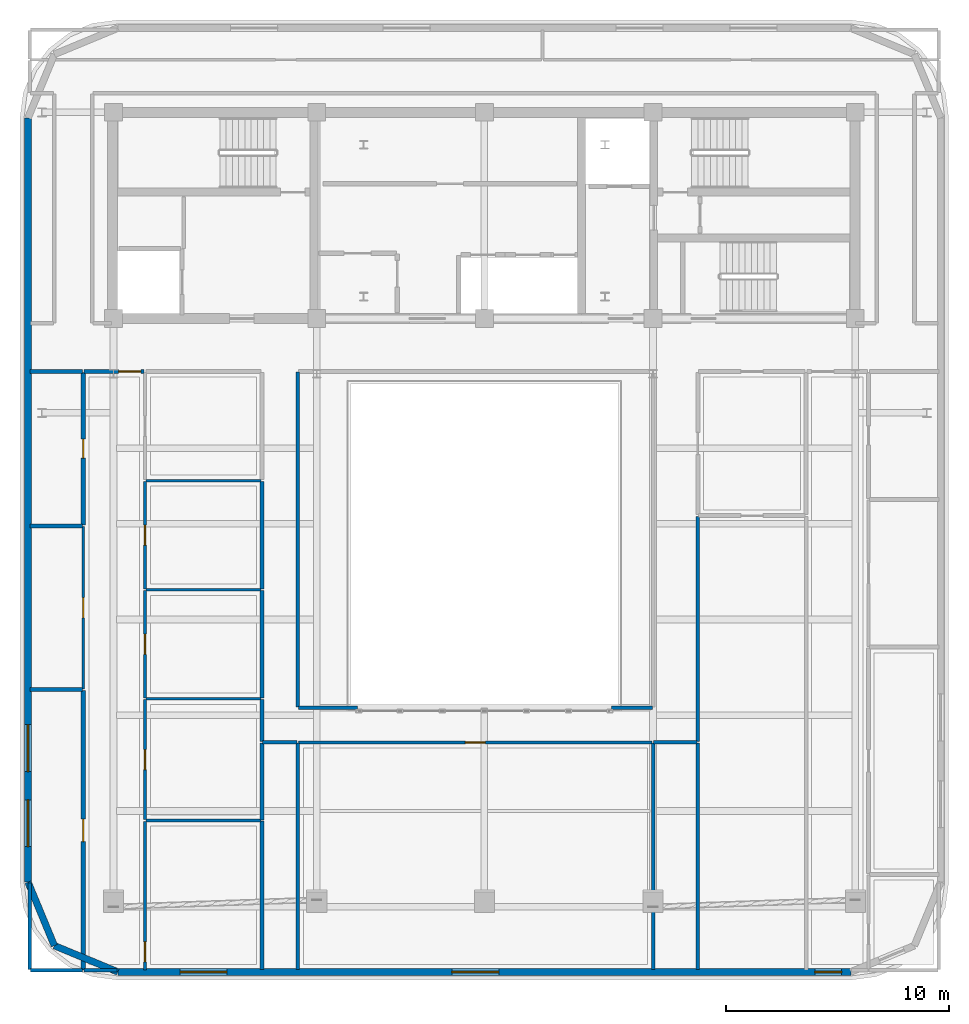
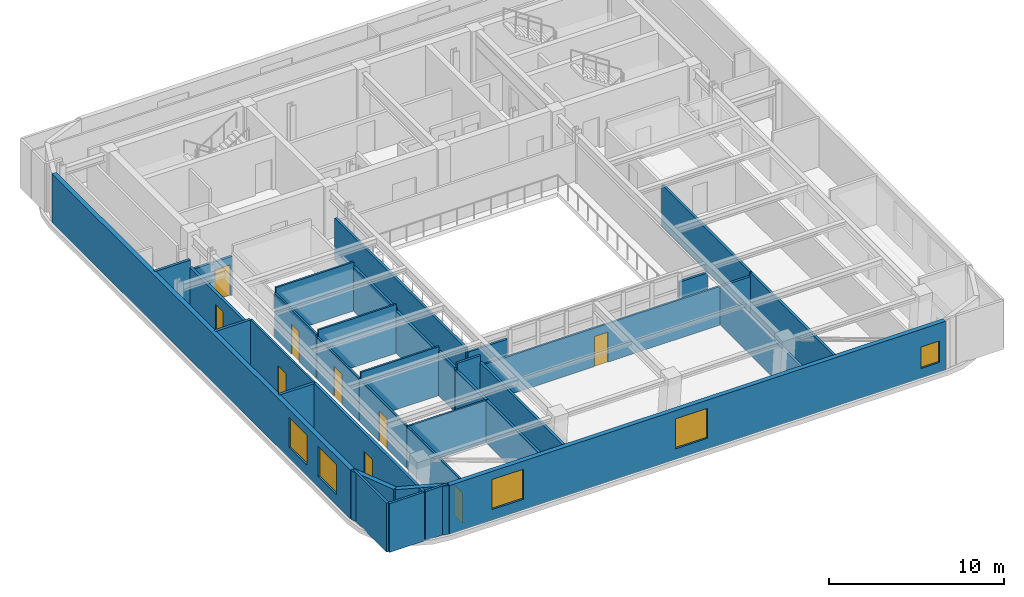
# One storey, part 6 of 12: 37 walls, 9 doors, 5 windows, 14 openings.
"""IFC4 building model written with IfcOpenShell, lengths in metres."""

from ifc_helpers import new_model, si_unit, direction, frame, frame_2d, origin, place, context, subcontext, project, spatial, rectangle, extrude, material, layer, layer_set, type_object, element, fill, save


model = new_model("IFC4")

# Units and contexts
model_context = context("Model", 3, precision=1e-05, world=origin(), true_north=direction((0.0, 1.0)))
body_context = subcontext(model_context, "Body", "Model", "MODEL_VIEW")
ifc_project = project(units=[si_unit("LENGTHUNIT", "METRE"), si_unit("AREAUNIT", "SQUARE_METRE"), si_unit("VOLUMEUNIT", "CUBIC_METRE"), si_unit("PLANEANGLEUNIT", "RADIAN"), si_unit("MASSUNIT", "GRAM", prefix="KILO")], contexts=[model_context])

# Site, building, storey
site_placement = place(None, origin())
site = spatial("IfcSite", under=ifc_project, at=site_placement, CompositionType="ELEMENT")
building_placement = place(site_placement, origin())
building = spatial("IfcBuilding", under=site, at=building_placement, Name="Zarnavel Station Tower", CompositionType="ELEMENT")
storey_placement = place(building_placement, frame((0.0, 0.0, 269.5)))
storey = spatial("IfcBuildingStorey", under=building, at=storey_placement, Name="L73", CompositionType="ELEMENT", Elevation=269.5)

# Wall, openings, windows
ifc_material_1 = material(Name="Precast concrete C45/55 (Dark Basalt Finish)", Category="masonry")
ifc_layer_1 = layer(ifc_material_1, 0.300048828125)
ifc_layer_set_1 = layer_set([ifc_layer_1], Name="EW_BASALT_300")
wall_type_1 = type_object("IfcWallType", Name="EW_BASALT_300", PredefinedType="SOLIDWALL", material=ifc_layer_set_1)
wall_1_placement = place(storey_placement, frame((8.3798828125, 2.60009765625, 0.0), z_axis=(0.0, 0.0, 1.0), x_axis=(0.0, 1.0, 0.0)))
wall_1 = element("IfcWall", 1, at=wall_1_placement, inside=storey, type_object=wall_type_1, Name="L73 Exterior Basalt Masonry Frame Wall 09", PredefinedType="SOLIDWALL", context=body_context, shape_type="SweptSolid", body=[
    extrude(rectangle(XDim=34.199951171875, YDim=0.300048828125, at=frame_2d((17.10009765625, 0.0))), origin(), (0.0, 0.0, 1.0), 3.419921875),
])
opening_1_placement = place(wall_1_placement, frame((1.583984375, 0.0, 0.75)))
opening_1 = element("IfcOpeningElement", 2, at=opening_1_placement, cuts=wall_1, Name="Opening WN05", PredefinedType="OPENING", context=body_context, shape_type="SweptSolid", body=[
    extrude(rectangle(XDim=2.10009765625, YDim=2.10009765625, at=frame_2d((1.050048828125, 1.050048828125))), frame((0.0, 0.159912109375, 0.0), z_axis=(0.0, -1.0, 0.0), x_axis=(1.0, 0.0, 0.0)), (0.0, 0.0, 1.0), 0.320068359375),
])
opening_2_placement = place(wall_1_placement, frame((4.947998046875, 0.0, 0.75)))
opening_2 = element("IfcOpeningElement", 3, at=opening_2_placement, cuts=wall_1, Name="Opening WN05", PredefinedType="OPENING", context=body_context, shape_type="SweptSolid", body=[
    extrude(rectangle(XDim=2.10009765625, YDim=2.10009765625, at=frame_2d((1.050048828125, 1.050048828125))), frame((0.0, 0.159912109375, 0.0), z_axis=(0.0, -1.0, 0.0), x_axis=(1.0, 0.0, 0.0)), (0.0, 0.0, 1.0), 0.320068359375),
])
ifc_material_2 = material(Name="Thermally Broken Black Aluminium and Low-E Dark Glass", Category="aluminium")
window_type_1 = type_object("IfcWindowType", Name="WN_2100x2100", PartitioningType="TRIPLE_PANEL_VERTICAL", PredefinedType="WINDOW", material=ifc_material_2)
window_1_placement = place(opening_1_placement, origin())
window_1 = element("IfcWindow", 4, at=window_1_placement, inside=storey, type_object=window_type_1, Name="L73 Recessed Facade Window 01", OverallHeight=2.10009765625, OverallWidth=2.10009765625, PartitioningType="SINGLE_PANEL", PredefinedType="WINDOW", context=body_context, shape_type="SweptSolid", body=[
    extrude(rectangle(XDim=2.10009765625, YDim=2.10009765625, at=frame_2d((1.050048828125, 1.050048828125))), frame((0.0, 0.030029296875, 0.0), z_axis=(0.0, -1.0, 0.0), x_axis=(1.0, 0.0, 0.0)), (0.0, 0.0, 1.0), 0.06005859375),
])
fill(opening_1, window_1)
window_2_placement = place(opening_2_placement, origin())
window_2 = element("IfcWindow", 5, at=window_2_placement, inside=storey, type_object=window_type_1, Name="L73 Recessed Facade Window 02", OverallHeight=2.10009765625, OverallWidth=2.10009765625, PartitioningType="SINGLE_PANEL", PredefinedType="WINDOW", context=body_context, shape_type="SweptSolid", body=[
    extrude(rectangle(XDim=2.10009765625, YDim=2.10009765625, at=frame_2d((1.050048828125, 1.050048828125))), frame((0.0, 0.030029296875, 0.0), z_axis=(0.0, -1.0, 0.0), x_axis=(1.0, 0.0, 0.0)), (0.0, 0.0, 1.0), 0.06005859375),
])
fill(opening_2, window_2)

# Walls
wall_2_placement = place(storey_placement, frame((9.557373046875, -0.24267578125, 0.0), z_axis=(0.0, 0.0, 1.0), x_axis=(-0.382676475685, 0.923882414032, 0.0)))
element("IfcWall", 6, at=wall_2_placement, inside=storey, type_object=wall_type_1, Name="L73 Exterior Basalt Masonry Frame Wall 10", PredefinedType="SOLIDWALL", context=body_context, shape_type="SweptSolid", body=[
    extrude(rectangle(XDim=3.076904296875, YDim=0.300048828125, at=frame_2d((1.53857421875, 0.0))), origin(), (0.0, 0.0, 1.0), 3.419921875),
])
wall_3_placement = place(storey_placement, frame((12.39990234375, -1.419921875, 0.0), z_axis=(0.0, 0.0, 1.0), x_axis=(-0.92389884758, 0.382636798336, 0.0)))
element("IfcWall", 7, at=wall_3_placement, inside=storey, type_object=wall_type_1, Name="L73 Exterior Basalt Masonry Frame Wall 11", PredefinedType="SOLIDWALL", context=body_context, shape_type="SweptSolid", body=[
    extrude(rectangle(XDim=3.07666015625, YDim=0.300048828125, at=frame_2d((1.538330078125, 0.0))), origin(), (0.0, 0.0, 1.0), 3.419921875),
])

# Wall, openings, windows
wall_4_placement = place(storey_placement, frame((45.199951171875, -1.419921875, 0.0), z_axis=(0.0, 0.0, 1.0), x_axis=(-1.0, 0.0, 0.0)))
wall_4 = element("IfcWall", 8, at=wall_4_placement, inside=storey, type_object=wall_type_1, Name="L73 Exterior Basalt Masonry Frame Wall 12", PredefinedType="SOLIDWALL", context=body_context, shape_type="SweptSolid", body=[
    extrude(rectangle(XDim=32.800048828125, YDim=0.300048828125, at=frame_2d((16.39990234375, 0.0))), origin(), (0.0, 0.0, 1.0), 3.419921875),
])
opening_3_placement = place(wall_4_placement, frame((27.9189453125, 0.0, 0.75)))
opening_3 = element("IfcOpeningElement", 9, at=opening_3_placement, cuts=wall_4, Name="Opening WN05", PredefinedType="OPENING", context=body_context, shape_type="SweptSolid", body=[
    extrude(rectangle(XDim=2.10009765625, YDim=2.10009765625, at=frame_2d((1.050048828125, 1.050048828125))), frame((0.0, 0.159912109375, 0.0), z_axis=(0.0, -1.0, 0.0), x_axis=(1.0, 0.0, 0.0)), (0.0, 0.0, 1.0), 0.320068359375),
])
opening_4_placement = place(wall_4_placement, frame((15.75, 0.0, 0.75)))
opening_4 = element("IfcOpeningElement", 10, at=opening_4_placement, cuts=wall_4, Name="Opening WN05", PredefinedType="OPENING", context=body_context, shape_type="SweptSolid", body=[
    extrude(rectangle(XDim=2.10009765625, YDim=2.10009765625, at=frame_2d((1.050048828125, 1.050048828125))), frame((0.0, 0.159912109375, 0.0), z_axis=(0.0, -1.0, 0.0), x_axis=(1.0, 0.0, 0.0)), (0.0, 0.0, 1.0), 0.320068359375),
])
opening_5_placement = place(wall_4_placement, frame((0.409912109375, 0.0, 0.679931640625)))
opening_5 = element("IfcOpeningElement", 11, at=opening_5_placement, cuts=wall_4, Name="Opening WN08", PredefinedType="OPENING", context=body_context, shape_type="SweptSolid", body=[
    extrude(rectangle(XDim=1.199951171875, YDim=1.5, at=frame_2d((0.60009765625, 0.75))), frame((0.0, 0.159912109375, 0.0), z_axis=(0.0, -1.0, 0.0), x_axis=(1.0, 0.0, 0.0)), (0.0, 0.0, 1.0), 0.320068359375),
])
ifc_material_3 = material(Name="Thermally Broken Black Aluminium and Low-E Dark Glass", Category="aluminium")
window_type_2 = type_object("IfcWindowType", Name="WN_1200x1500", PartitioningType="SINGLE_PANEL", PredefinedType="WINDOW", material=ifc_material_3)
window_3_placement = place(opening_5_placement, origin())
window_3 = element("IfcWindow", 12, at=window_3_placement, inside=storey, type_object=window_type_2, Name="L73 Recessed Facade Window 03", OverallHeight=1.5, OverallWidth=1.199951171875, PartitioningType="SINGLE_PANEL", PredefinedType="WINDOW", context=body_context, shape_type="SweptSolid", body=[
    extrude(rectangle(XDim=1.199951171875, YDim=1.5, at=frame_2d((0.60009765625, 0.75))), frame((0.0, 0.030029296875, 0.0), z_axis=(0.0, -1.0, 0.0), x_axis=(1.0, 0.0, 0.0)), (0.0, 0.0, 1.0), 0.06005859375),
])
fill(opening_5, window_3)
window_4_placement = place(opening_3_placement, origin())
window_4 = element("IfcWindow", 13, at=window_4_placement, inside=storey, type_object=window_type_1, Name="L73 Recessed Facade Window 01", OverallHeight=2.10009765625, OverallWidth=2.10009765625, PartitioningType="SINGLE_PANEL", PredefinedType="WINDOW", context=body_context, shape_type="SweptSolid", body=[
    extrude(rectangle(XDim=2.10009765625, YDim=2.10009765625, at=frame_2d((1.050048828125, 1.050048828125))), frame((0.0, 0.030029296875, 0.0), z_axis=(0.0, -1.0, 0.0), x_axis=(1.0, 0.0, 0.0)), (0.0, 0.0, 1.0), 0.06005859375),
])
fill(opening_3, window_4)
window_5_placement = place(opening_4_placement, origin())
window_5 = element("IfcWindow", 14, at=window_5_placement, inside=storey, type_object=window_type_1, Name="L73 Recessed Facade Window 02", OverallHeight=2.10009765625, OverallWidth=2.10009765625, PartitioningType="SINGLE_PANEL", PredefinedType="WINDOW", context=body_context, shape_type="SweptSolid", body=[
    extrude(rectangle(XDim=2.10009765625, YDim=2.10009765625, at=frame_2d((1.050048828125, 1.050048828125))), frame((0.0, 0.030029296875, 0.0), z_axis=(0.0, -1.0, 0.0), x_axis=(1.0, 0.0, 0.0)), (0.0, 0.0, 1.0), 0.06005859375),
])
fill(opening_4, window_5)

# Wall, opening, door
ifc_material_4 = material(Name="Gypsum Twin-Stud Acoustic Fire Partition", Category="concrete")
ifc_layer_2 = layer(ifc_material_4, 0.159912109375)
ifc_layer_set_2 = layer_set([ifc_layer_2], Name="PT_DEMISE_160")
wall_type_2 = type_object("IfcWallType", Name="PT_DEMISE_160", PredefinedType="PARTITIONING", material=ifc_layer_set_2)
wall_5_placement = place(storey_placement, frame((10.889892578125, 25.449951171875, 0.0), z_axis=(0.0, 0.0, 1.0), x_axis=(1.0, 0.0, 0.0)))
wall_5 = element("IfcWall", 15, at=wall_5_placement, inside=storey, type_object=wall_type_2, Name="L73 Partition COR-S-UW1LV", PredefinedType="PARTITIONING", context=body_context, shape_type="SweptSolid", body=[
    extrude(rectangle(XDim=2.68212890625, YDim=0.159912109375, at=frame_2d((1.341064453125, 0.0))), origin(), (0.0, 0.0, 1.0), 2.699951171875),
])
opening_6_placement = place(wall_5_placement, frame((1.5419921875, 0.0, 0.0)))
opening_6 = element("IfcOpeningElement", 16, at=opening_6_placement, cuts=wall_5, Name="Opening FD02", PredefinedType="OPENING", context=body_context, shape_type="SweptSolid", body=[
    extrude(rectangle(XDim=1.0, YDim=2.14990234375, at=frame_2d((0.5, 1.074951171875))), frame((0.0, 0.08984375, 0.0), z_axis=(0.0, -1.0, 0.0), x_axis=(1.0, 0.0, 0.0)), (0.0, 0.0, 1.0), 0.179931640625),
])
ifc_material_5 = material(Name="Painted Galvanised Steel and Hardwood Leaf", Category="steel")
door_type_1 = type_object("IfcDoorType", Name="ID_ENTRY_1000", OperationType="NOTDEFINED", PredefinedType="DOOR", material=ifc_material_5)
door_1_placement = place(opening_6_placement, origin())
door_1 = element("IfcDoor", 17, at=door_1_placement, inside=storey, type_object=door_type_1, Name="L73 Door COR-S-UW1LV", OperationType="SINGLE_SWING_LEFT", OverallHeight=2.14990234375, OverallWidth=1.0, PredefinedType="DOOR", context=body_context, shape_type="SweptSolid", body=[
    extrude(rectangle(XDim=1.0, YDim=2.14990234375, at=frame_2d((0.5, 1.074951171875))), frame((0.0, 0.02490234375, 0.0), z_axis=(0.0, -1.0, 0.0), x_axis=(1.0, 0.0, 0.0)), (0.0, 0.0, 1.0), 0.050048828125),
])
fill(opening_6, door_1)

# Walls
wall_6_placement = place(storey_placement, frame((18.85009765625, 8.889892578125, 0.0), z_axis=(0.0, 0.0, 1.0), x_axis=(0.0, 1.0, 0.0)))
element("IfcWall", 18, at=wall_6_placement, inside=storey, type_object=wall_type_2, Name="L73 Partition COR-AW-UW1B2", PredefinedType="PARTITIONING", context=body_context, shape_type="SweptSolid", body=[
    extrude(rectangle(XDim=1.876220703125, YDim=0.159912109375, at=frame_2d((0.93798828125, 0.0))), origin(), (0.0, 0.0, 1.0), 3.090087890625),
])
wall_7_placement = place(storey_placement, frame((18.85009765625, 10.845947265625, 0.0), z_axis=(0.0, 0.0, 1.0), x_axis=(0.0, 1.0, 0.0)))
element("IfcWall", 19, at=wall_7_placement, inside=storey, type_object=wall_type_2, Name="L73 Partition COR-AW-UW1B3", PredefinedType="PARTITIONING", context=body_context, shape_type="SweptSolid", body=[
    extrude(rectangle(XDim=4.801025390625, YDim=0.159912109375, at=frame_2d((2.400390625, 0.0))), origin(), (0.0, 0.0, 1.0), 2.9599609375),
])
wall_8_placement = place(storey_placement, frame((18.85009765625, 15.72705078125, 0.0), z_axis=(0.0, 0.0, 1.0), x_axis=(0.0, 1.0, 0.0)))
element("IfcWall", 20, at=wall_8_placement, inside=storey, type_object=wall_type_2, Name="L73 Partition COR-AW-UW1B4", PredefinedType="PARTITIONING", context=body_context, shape_type="SweptSolid", body=[
    extrude(rectangle(XDim=4.801025390625, YDim=0.159912109375, at=frame_2d((2.400390625, 0.0))), origin(), (0.0, 0.0, 1.0), 3.090087890625),
])
wall_9_placement = place(storey_placement, frame((38.35009765625, 8.889892578125, 0.0), z_axis=(0.0, 0.0, 1.0), x_axis=(0.0, 1.0, 0.0)))
element("IfcWall", 21, at=wall_9_placement, inside=storey, type_object=wall_type_2, Name="L73 Partition COR-AE-L73STR", PredefinedType="PARTITIONING", context=body_context, shape_type="SweptSolid", body=[
    extrude(rectangle(XDim=10.070068359375, YDim=0.159912109375, at=frame_2d((5.03515625, 0.0))), origin(), (0.0, 0.0, 1.0), 2.9599609375),
])
wall_10_placement = place(storey_placement, frame((18.8798828125, 8.85009765625, 0.0), z_axis=(0.0, 0.0, 1.0), x_axis=(1.0, 0.0, 0.0)))
element("IfcWall", 22, at=wall_10_placement, inside=storey, type_object=wall_type_2, Name="L73 Enclosure Wall COR-AW", PredefinedType="PARTITIONING", context=body_context, shape_type="SweptSolid", body=[
    extrude(rectangle(XDim=1.5400390625, YDim=0.159912109375, at=frame_2d((0.77001953125, 0.0))), origin(), (0.0, 0.0, 1.0), 3.419921875),
])
wall_11_placement = place(storey_placement, frame((20.449951171875, 10.429931640625, 0.0), z_axis=(0.0, 0.0, 1.0), x_axis=(0.0, 1.0, 0.0)))
element("IfcWall", 23, at=wall_11_placement, inside=storey, type_object=wall_type_2, Name="L73 Enclosure Wall COR-AW", PredefinedType="PARTITIONING", context=body_context, shape_type="SweptSolid", body=[
    extrude(rectangle(XDim=14.989990234375, YDim=0.159912109375, at=frame_2d((7.4951171875, 0.0))), origin(), (0.0, 0.0, 1.0), 2.9599609375),
])
wall_12_placement = place(storey_placement, frame((36.3798828125, 8.85009765625, 0.0), z_axis=(0.0, 0.0, 1.0), x_axis=(1.0, 0.0, 0.0)))
element("IfcWall", 24, at=wall_12_placement, inside=storey, type_object=wall_type_2, Name="L73 Enclosure Wall COR-AE", PredefinedType="PARTITIONING", context=body_context, shape_type="SweptSolid", body=[
    extrude(rectangle(XDim=1.940185546875, YDim=0.159912109375, at=frame_2d((0.97021484375, 0.0))), origin(), (0.0, 0.0, 1.0), 2.699951171875),
])
wall_13_placement = place(storey_placement, frame((20.47998046875, 10.39990234375, 0.0), z_axis=(0.0, 0.0, 1.0), x_axis=(1.0, 0.0, 0.0)))
element("IfcWall", 25, at=wall_13_placement, inside=storey, type_object=wall_type_2, Name="L73 Enclosure Wall COR-AS", PredefinedType="PARTITIONING", context=body_context, shape_type="SweptSolid", body=[
    extrude(rectangle(XDim=2.64013671875, YDim=0.159912109375, at=frame_2d((1.320068359375, 0.0))), origin(), (0.0, 0.0, 1.0), 2.699951171875),
])
wall_14_placement = place(storey_placement, frame((34.47998046875, 10.39990234375, 0.0), z_axis=(0.0, 0.0, 1.0), x_axis=(1.0, 0.0, 0.0)))
element("IfcWall", 26, at=wall_14_placement, inside=storey, type_object=wall_type_2, Name="L73 Enclosure Wall COR-AS", PredefinedType="PARTITIONING", context=body_context, shape_type="SweptSolid", body=[
    extrude(rectangle(XDim=1.840087890625, YDim=0.159912109375, at=frame_2d((0.919921875, 0.0))), origin(), (0.0, 0.0, 1.0), 2.699951171875),
])
wall_15_placement = place(storey_placement, frame((10.8798828125, -1.340087890625, 0.0), z_axis=(0.0, 0.0, 1.0), x_axis=(1.0, 0.0, 0.0)))
element("IfcWall", 27, at=wall_15_placement, inside=storey, type_object=wall_type_2, Name="L73 Enclosure Wall UW1LV", PredefinedType="PARTITIONING", context=body_context, shape_type="SweptSolid", body=[
    extrude(rectangle(XDim=1.490234375, YDim=0.159912109375, at=frame_2d((0.7451171875, 0.0))), origin(), (0.0, 0.0, 1.0), 3.419921875),
])
wall_16_placement = place(storey_placement, frame((8.489990234375, -1.340087890625, 0.0), z_axis=(0.0, 0.0, 1.0), x_axis=(1.0, 0.0, 0.0)))
element("IfcWall", 28, at=wall_16_placement, inside=storey, type_object=wall_type_2, Name="L73 Enclosure Wall UW1KT", PredefinedType="PARTITIONING", context=body_context, shape_type="SweptSolid", body=[
    extrude(rectangle(XDim=2.330078125, YDim=0.159912109375, at=frame_2d((1.1650390625, 0.0))), origin(), (0.0, 0.0, 1.0), 3.419921875),
])
wall_17_placement = place(storey_placement, frame((8.4599609375, -1.31005859375, 0.0), z_axis=(0.0, 0.0, 1.0), x_axis=(0.0, 1.0, 0.0)))
element("IfcWall", 29, at=wall_17_placement, inside=storey, type_object=wall_type_2, Name="L73 Enclosure Wall UW1KT", PredefinedType="PARTITIONING", context=body_context, shape_type="SweptSolid", body=[
    extrude(rectangle(XDim=3.880126953125, YDim=0.159912109375, at=frame_2d((1.93994140625, 0.0))), origin(), (0.0, 0.0, 1.0), 3.419921875),
])
wall_18_placement = place(storey_placement, frame((18.85009765625, -1.31005859375, 0.0), z_axis=(0.0, 0.0, 1.0), x_axis=(0.0, 1.0, 0.0)))
element("IfcWall", 30, at=wall_18_placement, inside=storey, type_object=wall_type_2, Name="L73 Enclosure Wall UW1B1", PredefinedType="PARTITIONING", context=body_context, shape_type="SweptSolid", body=[
    extrude(rectangle(XDim=6.636962890625, YDim=0.159912109375, at=frame_2d((3.318359375, 0.0))), origin(), (0.0, 0.0, 1.0), 2.9599609375),
])
wall_19_placement = place(storey_placement, frame((18.85009765625, 5.386962890625, 0.0), z_axis=(0.0, 0.0, 1.0), x_axis=(0.0, 1.0, 0.0)))
element("IfcWall", 31, at=wall_19_placement, inside=storey, type_object=wall_type_2, Name="L73 Enclosure Wall UW1B2", PredefinedType="PARTITIONING", context=body_context, shape_type="SweptSolid", body=[
    extrude(rectangle(XDim=3.43310546875, YDim=0.159912109375, at=frame_2d((1.716552734375, 0.0))), origin(), (0.0, 0.0, 1.0), 2.9599609375),
])
wall_20_placement = place(storey_placement, frame((20.449951171875, -1.31005859375, 0.0), z_axis=(0.0, 0.0, 1.0), x_axis=(0.0, 1.0, 0.0)))
element("IfcWall", 32, at=wall_20_placement, inside=storey, type_object=wall_type_2, Name="L73 Enclosure Wall L73REC", PredefinedType="PARTITIONING", context=body_context, shape_type="SweptSolid", body=[
    extrude(rectangle(XDim=10.130126953125, YDim=0.159912109375, at=frame_2d((5.06494140625, 0.0))), origin(), (0.0, 0.0, 1.0), 2.9599609375),
])
wall_21_placement = place(storey_placement, frame((36.35009765625, -1.31005859375, 0.0), z_axis=(0.0, 0.0, 1.0), x_axis=(0.0, 1.0, 0.0)))
element("IfcWall", 33, at=wall_21_placement, inside=storey, type_object=wall_type_2, Name="L73 Enclosure Wall L73REC", PredefinedType="PARTITIONING", context=body_context, shape_type="SweptSolid", body=[
    extrude(rectangle(XDim=10.130126953125, YDim=0.159912109375, at=frame_2d((5.06494140625, 0.0))), origin(), (0.0, 0.0, 1.0), 2.699951171875),
])
wall_22_placement = place(storey_placement, frame((38.35009765625, -1.31005859375, 0.0), z_axis=(0.0, 0.0, 1.0), x_axis=(0.0, 1.0, 0.0)))
element("IfcWall", 34, at=wall_22_placement, inside=storey, type_object=wall_type_2, Name="L73 Enclosure Wall L73STR", PredefinedType="PARTITIONING", context=body_context, shape_type="SweptSolid", body=[
    extrude(rectangle(XDim=10.130126953125, YDim=0.159912109375, at=frame_2d((5.06494140625, 0.0))), origin(), (0.0, 0.0, 1.0), 2.9599609375),
])

# Wall, opening, door
ifc_material_6 = material(Name="Gypsum Metal-Stud Interior Partition", Category="concrete")
ifc_layer_3 = layer(ifc_material_6, 0.1201171875)
ifc_layer_set_3 = layer_set([ifc_layer_3], Name="PT_ROOM_120")
wall_type_3 = type_object("IfcWallType", Name="PT_ROOM_120", PredefinedType="PARTITIONING", material=ifc_layer_set_3)
wall_23_placement = place(storey_placement, frame((20.489990234375, 8.85009765625, 0.0), z_axis=(0.0, 0.0, 1.0), x_axis=(1.0, 0.0, 0.0)))
wall_23 = element("IfcWall", 35, at=wall_23_placement, inside=storey, type_object=wall_type_3, Name="L73 Partition COR-AS-L73REC", PredefinedType="PARTITIONING", context=body_context, shape_type="SweptSolid", body=[
    extrude(rectangle(XDim=15.820068359375, YDim=0.1201171875, at=frame_2d((7.91015625, 0.0))), origin(), (0.0, 0.0, 1.0), 2.699951171875),
])
opening_7_placement = place(wall_23_placement, frame((7.4599609375, 0.0, 0.0)))
opening_7 = element("IfcOpeningElement", 36, at=opening_7_placement, cuts=wall_23, Name="Opening ID01", PredefinedType="OPENING", context=body_context, shape_type="SweptSolid", body=[
    extrude(rectangle(XDim=0.89990234375, YDim=2.10009765625, at=frame_2d((0.449951171875, 1.050048828125))), frame((0.0, 0.070068359375, 0.0), z_axis=(0.0, -1.0, 0.0), x_axis=(1.0, 0.0, 0.0)), (0.0, 0.0, 1.0), 0.14013671875),
])
ifc_material_7 = material(Name="Painted Galvanised Steel and Hardwood Leaf", Category="steel")
door_type_2 = type_object("IfcDoorType", Name="ID_ROOM_900", OperationType="NOTDEFINED", PredefinedType="DOOR", material=ifc_material_7)
door_2_placement = place(opening_7_placement, origin())
door_2 = element("IfcDoor", 37, at=door_2_placement, inside=storey, type_object=door_type_2, Name="L73 Door COR-AS-L73REC", OperationType="SINGLE_SWING_LEFT", OverallHeight=2.10009765625, OverallWidth=0.89990234375, PredefinedType="DOOR", context=body_context, shape_type="SweptSolid", body=[
    extrude(rectangle(XDim=0.89990234375, YDim=2.10009765625, at=frame_2d((0.449951171875, 1.050048828125))), frame((0.0, 0.02490234375, 0.0), z_axis=(0.0, -1.0, 0.0), x_axis=(1.0, 0.0, 0.0)), (0.0, 0.0, 1.0), 0.050048828125),
])
fill(opening_7, door_2)

wall_24_placement = place(storey_placement, frame((10.85009765625, 11.251953125, 0.0), z_axis=(0.0, 0.0, 1.0), x_axis=(0.0, 1.0, 0.0)))
wall_24 = element("IfcWall", 38, at=wall_24_placement, inside=storey, type_object=wall_type_3, Name="L73 Partition UW1LV-UW1UT", PredefinedType="PARTITIONING", context=body_context, shape_type="SweptSolid", body=[
    extrude(rectangle(XDim=7.254150390625, YDim=0.1201171875, at=frame_2d((3.626953125, 0.0))), origin(), (0.0, 0.0, 1.0), 3.419921875),
])
opening_8_placement = place(wall_24_placement, frame((3.177001953125, 0.0, 0.0)))
opening_8 = element("IfcOpeningElement", 39, at=opening_8_placement, cuts=wall_24, Name="Opening ID01", PredefinedType="OPENING", context=body_context, shape_type="SweptSolid", body=[
    extrude(rectangle(XDim=0.89990234375, YDim=2.10009765625, at=frame_2d((0.449951171875, 1.050048828125))), frame((0.0, 0.070068359375, 0.0), z_axis=(0.0, -1.0, 0.0), x_axis=(1.0, 0.0, 0.0)), (0.0, 0.0, 1.0), 0.14013671875),
])
door_3_placement = place(opening_8_placement, origin())
door_3 = element("IfcDoor", 40, at=door_3_placement, inside=storey, type_object=door_type_2, Name="L73 Door UW1LV-UW1UT", OperationType="SINGLE_SWING_LEFT", OverallHeight=2.10009765625, OverallWidth=0.89990234375, PredefinedType="DOOR", context=body_context, shape_type="SweptSolid", body=[
    extrude(rectangle(XDim=0.89990234375, YDim=2.10009765625, at=frame_2d((0.449951171875, 1.050048828125))), frame((0.0, 0.02490234375, 0.0), z_axis=(0.0, -1.0, 0.0), x_axis=(1.0, 0.0, 0.0)), (0.0, 0.0, 1.0), 0.050048828125),
])
fill(opening_8, door_3)

wall_25_placement = place(storey_placement, frame((13.612060546875, -1.340087890625, 0.0), z_axis=(0.0, 0.0, 1.0), x_axis=(0.0, 1.0, 0.0)))
wall_25 = element("IfcWall", 41, at=wall_25_placement, inside=storey, type_object=wall_type_3, Name="L73 Partition UW1LV-UW1B1", PredefinedType="PARTITIONING", context=body_context, shape_type="SweptSolid", body=[
    extrude(rectangle(XDim=6.656982421875, YDim=0.1201171875, at=frame_2d((3.32861328125, 0.0))), origin(), (0.0, 0.0, 1.0), 2.9599609375),
])
opening_9_placement = place(wall_25_placement, frame((0.3681640625, 0.0, 0.0)))
opening_9 = element("IfcOpeningElement", 42, at=opening_9_placement, cuts=wall_25, Name="Opening ID01", PredefinedType="OPENING", context=body_context, shape_type="SweptSolid", body=[
    extrude(rectangle(XDim=0.89990234375, YDim=2.10009765625, at=frame_2d((0.449951171875, 1.050048828125))), frame((0.0, 0.070068359375, 0.0), z_axis=(0.0, -1.0, 0.0), x_axis=(1.0, 0.0, 0.0)), (0.0, 0.0, 1.0), 0.14013671875),
])
door_4_placement = place(opening_9_placement, origin())
door_4 = element("IfcDoor", 43, at=door_4_placement, inside=storey, type_object=door_type_2, Name="L73 Door UW1LV-UW1B1", OperationType="SINGLE_SWING_LEFT", OverallHeight=2.10009765625, OverallWidth=0.89990234375, PredefinedType="DOOR", context=body_context, shape_type="SweptSolid", body=[
    extrude(rectangle(XDim=0.89990234375, YDim=2.10009765625, at=frame_2d((0.449951171875, 1.050048828125))), frame((0.0, 0.02490234375, 0.0), z_axis=(0.0, -1.0, 0.0), x_axis=(1.0, 0.0, 0.0)), (0.0, 0.0, 1.0), 0.050048828125),
])
fill(opening_9, door_4)

wall_26_placement = place(storey_placement, frame((13.612060546875, 5.39697265625, 0.0), z_axis=(0.0, 0.0, 1.0), x_axis=(0.0, 1.0, 0.0)))
wall_26 = element("IfcWall", 44, at=wall_26_placement, inside=storey, type_object=wall_type_3, Name="L73 Partition UW1LV-UW1B2", PredefinedType="PARTITIONING", context=body_context, shape_type="SweptSolid", body=[
    extrude(rectangle(XDim=5.369140625, YDim=0.1201171875, at=frame_2d((2.6845703125, 0.0))), origin(), (0.0, 0.0, 1.0), 2.9599609375),
])
opening_10_placement = place(wall_26_placement, frame((2.234619140625, 0.0, 0.0)))
opening_10 = element("IfcOpeningElement", 45, at=opening_10_placement, cuts=wall_26, Name="Opening ID01", PredefinedType="OPENING", context=body_context, shape_type="SweptSolid", body=[
    extrude(rectangle(XDim=0.89990234375, YDim=2.10009765625, at=frame_2d((0.449951171875, 1.050048828125))), frame((0.0, 0.070068359375, 0.0), z_axis=(0.0, -1.0, 0.0), x_axis=(1.0, 0.0, 0.0)), (0.0, 0.0, 1.0), 0.14013671875),
])
door_5_placement = place(opening_10_placement, origin())
door_5 = element("IfcDoor", 46, at=door_5_placement, inside=storey, type_object=door_type_2, Name="L73 Door UW1LV-UW1B2", OperationType="SINGLE_SWING_RIGHT", OverallHeight=2.10009765625, OverallWidth=0.89990234375, PredefinedType="DOOR", context=body_context, shape_type="SweptSolid", body=[
    extrude(rectangle(XDim=0.89990234375, YDim=2.10009765625, at=frame_2d((0.449951171875, 1.050048828125))), frame((0.0, 0.02490234375, 0.0), z_axis=(0.0, -1.0, 0.0), x_axis=(1.0, 0.0, 0.0)), (0.0, 0.0, 1.0), 0.050048828125),
])
fill(opening_10, door_5)

wall_27_placement = place(storey_placement, frame((13.612060546875, 10.845947265625, 0.0), z_axis=(0.0, 0.0, 1.0), x_axis=(0.0, 1.0, 0.0)))
wall_27 = element("IfcWall", 47, at=wall_27_placement, inside=storey, type_object=wall_type_3, Name="L73 Partition UW1LV-UW1B3", PredefinedType="PARTITIONING", context=body_context, shape_type="SweptSolid", body=[
    extrude(rectangle(XDim=4.801025390625, YDim=0.1201171875, at=frame_2d((2.400390625, 0.0))), origin(), (0.0, 0.0, 1.0), 2.9599609375),
])
opening_11_placement = place(wall_27_placement, frame((1.950439453125, 0.0, 0.0)))
opening_11 = element("IfcOpeningElement", 48, at=opening_11_placement, cuts=wall_27, Name="Opening ID01", PredefinedType="OPENING", context=body_context, shape_type="SweptSolid", body=[
    extrude(rectangle(XDim=0.89990234375, YDim=2.10009765625, at=frame_2d((0.449951171875, 1.050048828125))), frame((0.0, 0.070068359375, 0.0), z_axis=(0.0, -1.0, 0.0), x_axis=(1.0, 0.0, 0.0)), (0.0, 0.0, 1.0), 0.14013671875),
])
door_6_placement = place(opening_11_placement, origin())
door_6 = element("IfcDoor", 49, at=door_6_placement, inside=storey, type_object=door_type_2, Name="L73 Door UW1LV-UW1B3", OperationType="SINGLE_SWING_LEFT", OverallHeight=2.10009765625, OverallWidth=0.89990234375, PredefinedType="DOOR", context=body_context, shape_type="SweptSolid", body=[
    extrude(rectangle(XDim=0.89990234375, YDim=2.10009765625, at=frame_2d((0.449951171875, 1.050048828125))), frame((0.0, 0.02490234375, 0.0), z_axis=(0.0, -1.0, 0.0), x_axis=(1.0, 0.0, 0.0)), (0.0, 0.0, 1.0), 0.050048828125),
])
fill(opening_11, door_6)

wall_28_placement = place(storey_placement, frame((13.612060546875, 15.72705078125, 0.0), z_axis=(0.0, 0.0, 1.0), x_axis=(0.0, 1.0, 0.0)))
wall_28 = element("IfcWall", 50, at=wall_28_placement, inside=storey, type_object=wall_type_3, Name="L73 Partition UW1LV-UW1B4", PredefinedType="PARTITIONING", context=body_context, shape_type="SweptSolid", body=[
    extrude(rectangle(XDim=4.801025390625, YDim=0.1201171875, at=frame_2d((2.400390625, 0.0))), origin(), (0.0, 0.0, 1.0), 3.090087890625),
])
opening_12_placement = place(wall_28_placement, frame((1.950439453125, 0.0, 0.0)))
opening_12 = element("IfcOpeningElement", 51, at=opening_12_placement, cuts=wall_28, Name="Opening ID01", PredefinedType="OPENING", context=body_context, shape_type="SweptSolid", body=[
    extrude(rectangle(XDim=0.89990234375, YDim=2.10009765625, at=frame_2d((0.449951171875, 1.050048828125))), frame((0.0, 0.070068359375, 0.0), z_axis=(0.0, -1.0, 0.0), x_axis=(1.0, 0.0, 0.0)), (0.0, 0.0, 1.0), 0.14013671875),
])
door_7_placement = place(opening_12_placement, origin())
door_7 = element("IfcDoor", 52, at=door_7_placement, inside=storey, type_object=door_type_2, Name="L73 Door UW1LV-UW1B4", OperationType="SINGLE_SWING_RIGHT", OverallHeight=2.10009765625, OverallWidth=0.89990234375, PredefinedType="DOOR", context=body_context, shape_type="SweptSolid", body=[
    extrude(rectangle(XDim=0.89990234375, YDim=2.10009765625, at=frame_2d((0.449951171875, 1.050048828125))), frame((0.0, 0.02490234375, 0.0), z_axis=(0.0, -1.0, 0.0), x_axis=(1.0, 0.0, 0.0)), (0.0, 0.0, 1.0), 0.050048828125),
])
fill(opening_12, door_7)

# Walls
wall_29_placement = place(storey_placement, frame((13.652099609375, 5.35693359375, 0.0), z_axis=(0.0, 0.0, 1.0), x_axis=(1.0, 0.0, 0.0)))
element("IfcWall", 53, at=wall_29_placement, inside=storey, type_object=wall_type_3, Name="L73 Partition UW1B1-UW1B2", PredefinedType="PARTITIONING", context=body_context, shape_type="SweptSolid", body=[
    extrude(rectangle(XDim=5.157958984375, YDim=0.1201171875, at=frame_2d((2.5791015625, 0.0))), origin(), (0.0, 0.0, 1.0), 2.9599609375),
])
for number, where, z_axis, x_axis, name in (
    (54, (13.652099609375, 10.805908203125, 0.0), (0.0, 0.0, 1.0), (1.0, 0.0, 0.0), "L73 Partition UW1B2-UW1B3"),
    (55, (13.652099609375, 15.68701171875, 0.0), (0.0, 0.0, 1.0), (1.0, 0.0, 0.0), "L73 Partition UW1B3-UW1B4"),
    (56, (13.652099609375, 20.568115234375, 0.0), (0.0, 0.0, 1.0), (1.0, 0.0, 0.0), "L73 Partition UW1B4-UW1B5"),
):
    element("IfcWall", number, at=place(storey_placement, frame(where, z_axis=z_axis, x_axis=x_axis)), inside=storey, type_object=wall_type_3, Name=name, PredefinedType="PARTITIONING", context=body_context, shape_type="SweptSolid", body=[
        extrude(rectangle(XDim=5.157958984375, YDim=0.1201171875, at=frame_2d((2.5791015625, 0.0))), origin(), (0.0, 0.0, 1.0), 3.419921875),
    ])
ifc_material_8 = material(Name="Moisture-Resistant Plumbing Chase Wall", Category="concrete")
ifc_layer_4 = layer(ifc_material_8, 0.179931640625)
ifc_layer_set_4 = layer_set([ifc_layer_4], Name="PW_PLUMB_180")
wall_type_4 = type_object("IfcWallType", Name="PW_PLUMB_180", PredefinedType="PLUMBINGWALL", material=ifc_layer_set_4)
wall_30_placement = place(storey_placement, frame((8.4599609375, 25.449951171875, 0.0), z_axis=(0.0, 0.0, 1.0), x_axis=(1.0, 0.0, 0.0)))
element("IfcWall", 57, at=wall_30_placement, inside=storey, type_object=wall_type_4, Name="L73 Partition COR-S-UW1BA", PredefinedType="PLUMBINGWALL", context=body_context, shape_type="SweptSolid", body=[
    extrude(rectangle(XDim=2.35009765625, YDim=0.179931640625, at=frame_2d((1.175048828125, 0.0))), origin(), (0.0, 0.0, 1.0), 3.419921875),
])

# Wall, opening, door
wall_31_placement = place(storey_placement, frame((10.85009765625, -1.340087890625, 0.0), z_axis=(0.0, 0.0, 1.0), x_axis=(0.0, 1.0, 0.0)))
wall_31 = element("IfcWall", 58, at=wall_31_placement, inside=storey, type_object=wall_type_4, Name="L73 Partition UW1LV-UW1KT", PredefinedType="PLUMBINGWALL", context=body_context, shape_type="SweptSolid", body=[
    extrude(rectangle(XDim=12.51220703125, YDim=0.179931640625, at=frame_2d((6.256103515625, 0.0))), origin(), (0.0, 0.0, 1.0), 3.419921875),
])
opening_13_placement = place(wall_31_placement, frame((5.756103515625, 0.0, 0.0)))
opening_13 = element("IfcOpeningElement", 59, at=opening_13_placement, cuts=wall_31, Name="Opening FD02", PredefinedType="OPENING", context=body_context, shape_type="SweptSolid", body=[
    extrude(rectangle(XDim=1.0, YDim=2.14990234375, at=frame_2d((0.5, 1.074951171875))), frame((0.0, 0.099853515625, 0.0), z_axis=(0.0, -1.0, 0.0), x_axis=(1.0, 0.0, 0.0)), (0.0, 0.0, 1.0), 0.199951171875),
])
door_8_placement = place(opening_13_placement, origin())
door_8 = element("IfcDoor", 60, at=door_8_placement, inside=storey, type_object=door_type_1, Name="L73 Door UW1LV-UW1KT", OperationType="SINGLE_SWING_RIGHT", OverallHeight=2.14990234375, OverallWidth=1.0, PredefinedType="DOOR", context=body_context, shape_type="SweptSolid", body=[
    extrude(rectangle(XDim=1.0, YDim=2.14990234375, at=frame_2d((0.5, 1.074951171875))), frame((0.0, 0.02490234375, 0.0), z_axis=(0.0, -1.0, 0.0), x_axis=(1.0, 0.0, 0.0)), (0.0, 0.0, 1.0), 0.050048828125),
])
fill(opening_13, door_8)

wall_32_placement = place(storey_placement, frame((10.85009765625, 18.5859375, 0.0), z_axis=(0.0, 0.0, 1.0), x_axis=(0.0, 1.0, 0.0)))
wall_32 = element("IfcWall", 61, at=wall_32_placement, inside=storey, type_object=wall_type_4, Name="L73 Partition UW1LV-UW1BA", PredefinedType="PLUMBINGWALL", context=body_context, shape_type="SweptSolid", body=[
    extrude(rectangle(XDim=6.823974609375, YDim=0.179931640625, at=frame_2d((3.412109375, 0.0))), origin(), (0.0, 0.0, 1.0), 2.89990234375),
])
opening_14_placement = place(wall_32_placement, frame((2.987060546875, 0.0, 0.0)))
opening_14 = element("IfcOpeningElement", 62, at=opening_14_placement, cuts=wall_32, Name="Opening ID02", PredefinedType="OPENING", context=body_context, shape_type="SweptSolid", body=[
    extrude(rectangle(XDim=0.85009765625, YDim=2.10009765625, at=frame_2d((0.425048828125, 1.050048828125))), frame((0.0, 0.099853515625, 0.0), z_axis=(0.0, -1.0, 0.0), x_axis=(1.0, 0.0, 0.0)), (0.0, 0.0, 1.0), 0.199951171875),
])
ifc_material_9 = material(Name="Painted Galvanised Steel and Hardwood Leaf", Category="steel")
door_type_3 = type_object("IfcDoorType", Name="ID_BATH_850", OperationType="NOTDEFINED", PredefinedType="DOOR", material=ifc_material_9)
door_9_placement = place(opening_14_placement, origin())
door_9 = element("IfcDoor", 63, at=door_9_placement, inside=storey, type_object=door_type_3, Name="L73 Door UW1LV-UW1BA", OperationType="SINGLE_SWING_RIGHT", OverallHeight=2.10009765625, OverallWidth=0.85009765625, PredefinedType="DOOR", context=body_context, shape_type="SweptSolid", body=[
    extrude(rectangle(XDim=0.85009765625, YDim=2.10009765625, at=frame_2d((0.425048828125, 1.050048828125))), frame((0.0, 0.02490234375, 0.0), z_axis=(0.0, -1.0, 0.0), x_axis=(1.0, 0.0, 0.0)), (0.0, 0.0, 1.0), 0.050048828125),
])
fill(opening_14, door_9)

# Walls
for number, where, z_axis, x_axis, name in (
    (64, (8.4599609375, 11.2119140625, 0.0), (0.0, 0.0, 1.0), (1.0, 0.0, 0.0), "L73 Partition UW1KT-UW1UT"),
    (65, (8.4599609375, 18.5458984375, 0.0), (0.0, 0.0, 1.0), (1.0, 0.0, 0.0), "L73 Partition UW1UT-UW1BA"),
):
    element("IfcWall", number, at=place(storey_placement, frame(where, z_axis=z_axis, x_axis=x_axis)), inside=storey, type_object=wall_type_4, Name=name, PredefinedType="PLUMBINGWALL", context=body_context, shape_type="SweptSolid", body=[
        extrude(rectangle(XDim=2.35009765625, YDim=0.179931640625, at=frame_2d((1.175048828125, 0.0))), origin(), (0.0, 0.0, 1.0), 3.419921875),
    ])

save(model, "model.ifc")
